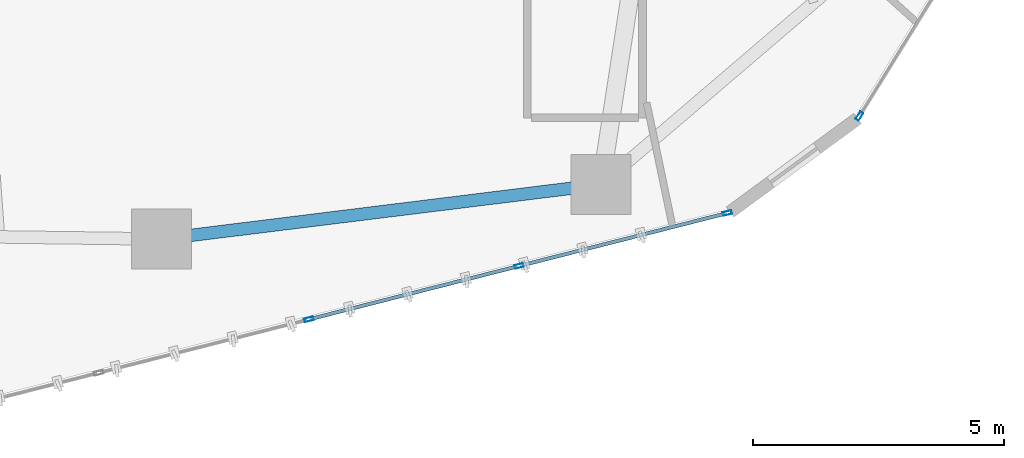
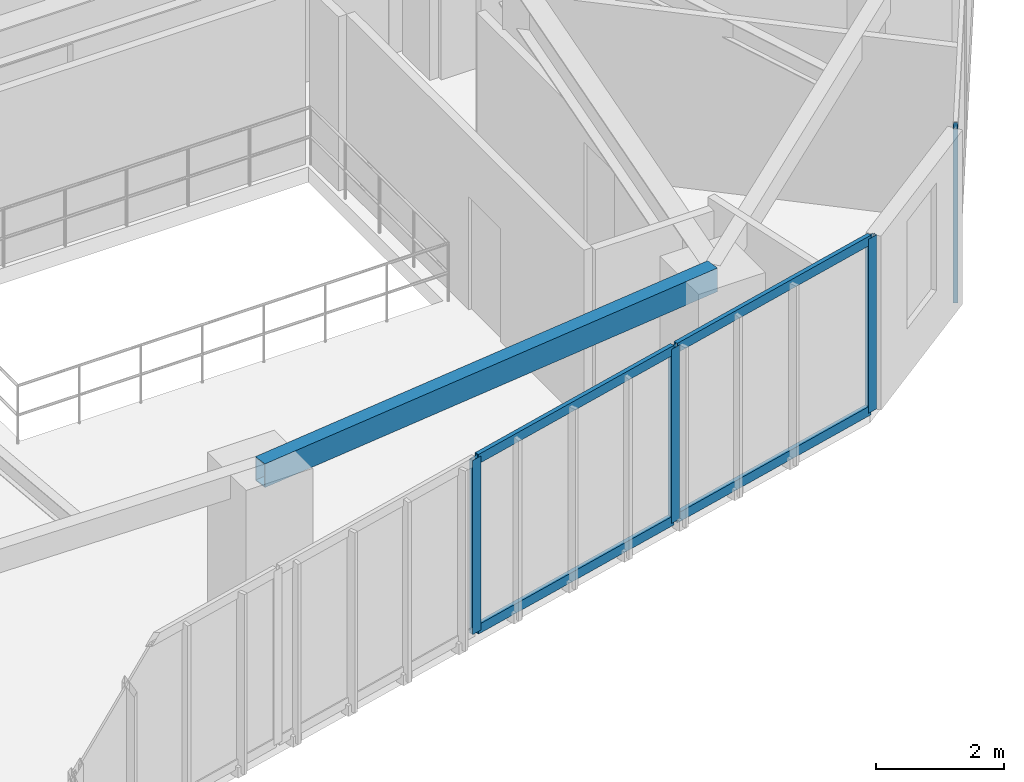
# One storey, part 5 of 20: 8 members, 1 beam, 2 elements without a shape of their own.
"""IFC4 building model written with IfcOpenShell, lengths in metres."""

from ifc_helpers import new_model, si_unit, direction, frame, origin, origin_2d, place, context, subcontext, project, spatial, hollow_rectangle, extrude, source, transform, mapped, material, layer, layer_set, material_profile, profile_set, type_object, type_shapes, element, aggregate, save


model = new_model("IFC4")

# Units and contexts
model_context = context("Model", 3, precision=1e-05, world=origin(), true_north=direction((0.0, 1.0)))
body_context = subcontext(model_context, "Body", "Model", "MODEL_VIEW")
ifc_project = project(units=[si_unit("LENGTHUNIT", "METRE"), si_unit("AREAUNIT", "SQUARE_METRE"), si_unit("VOLUMEUNIT", "CUBIC_METRE"), si_unit("PLANEANGLEUNIT", "RADIAN"), si_unit("MASSUNIT", "GRAM", prefix="KILO")], contexts=[model_context])

# Site, building, storey
site_placement = place(None, origin())
site = spatial("IfcSite", under=ifc_project, at=site_placement, CompositionType="ELEMENT")
building_placement = place(site_placement, origin())
building = spatial("IfcBuilding", under=site, at=building_placement, Name="Talar Marvaseh", CompositionType="ELEMENT")
storey_placement = place(building_placement, frame((0.0, 0.0, 132.60009765625)))
storey = spatial("IfcBuildingStorey", under=building, at=storey_placement, Name="L34", CompositionType="ELEMENT", Elevation=132.60009765625)

# Beam
ifc_material_1 = material(Name="Steel S355", Category="steel")
ifc_material_profile_1 = material_profile(ifc_material_1, hollow_rectangle(XDim=0.25, YDim=0.449951171875, WallThickness=0.01611328125, at=origin_2d()), Name="RHS450x250x16")
ifc_profile_set_1 = profile_set([ifc_material_profile_1], Name="Steel S355")
beam_type = type_object("IfcBeamType", Name="Zone 2 Perimeter Spandrel Beam RHS450x250x16", PredefinedType="SPANDREL", material=ifc_profile_set_1)
beam_placement = place(storey_placement, frame((31.570068359375, 14.26806640625, 3.0849609375), z_axis=(-0.992426007218, -0.122843885468, 0.0), x_axis=(0.122843885468, -0.992426007218, 0.0)))
element("IfcBeam", 1, at=beam_placement, inside=storey, type_object=beam_type, Name="L34 Zone 2 Perimeter Spandrel Beam RHS450x250x16", PredefinedType="SPANDREL", context=body_context, shape_type="SweptSolid", body=[
    extrude(hollow_rectangle(XDim=0.25, YDim=0.449951171875, WallThickness=0.01611328125, at=origin_2d()), origin(), (0.0, 0.0, 1.0), 8.83203125),
])

# Curtain wall, members
ifc_material_2 = material(Name="Architectural Aluminium", Category="aluminium")
ifc_layer = layer(ifc_material_2, 0.199951171875)
ifc_layer_set = layer_set([ifc_layer], Name="Architectural Aluminium")
curtain_wall_type = type_object("IfcCurtainWallType", Name="Unitised Acoustic Library Curtain Wall Z2", PredefinedType="NOTDEFINED", material=ifc_layer_set)
curtain_wall_1_placement = place(storey_placement, origin())
curtain_wall_1 = element("IfcCurtainWall", 2, at=curtain_wall_1_placement, inside=storey, type_object=curtain_wall_type, Name="L34 Unitised Acoustic Library Curtain Wall Z2", PredefinedType="NOTDEFINED")
ifc_material_profile_2 = material_profile(ifc_material_2, hollow_rectangle(XDim=0.074951171875, YDim=0.179931640625, WallThickness=0.0048828125, at=origin_2d()), Name="RHS180x75x5")
ifc_profile_set_2 = profile_set([ifc_material_profile_2], Name="Architectural Aluminium")
member_type_1 = type_object("IfcMemberType", Name="Unitised Curtain Wall Transom RHS180x75x5", PredefinedType="USERDEFINED", material=ifc_profile_set_2)
shared_shape_1 = source(origin(), body_context, "Body", "SweptSolid", [
    extrude(hollow_rectangle(XDim=0.074951171875, YDim=0.179931640625, WallThickness=0.0048828125, at=origin_2d()), origin(), (0.0, 0.0, 1.0), 4.24853515625),
])
member_1_placement = place(storey_placement, frame((29.900390625, 12.635986328125, 0.037353515625), z_axis=(-0.969195505357, -0.246292655992, 0.0), x_axis=(0.246292655992, -0.969195505357, 0.0)))
member_1 = element("IfcMember", 3, at=member_1_placement, type_object=member_type_1, Name="CW-Z2 transom 2.1", ObjectType="TRANSOM", PredefinedType="USERDEFINED", context=body_context, shape_type="MappedRepresentation", body=[
    mapped(shared_shape_1, transform((0.0, 0.0, 0.0), x_axis=(1.0, 0.0, 0.0), y_axis=(0.0, 1.0, 0.0), z_axis=(0.0, 0.0, 1.0), scale=1.0)),
])
member_2_placement = place(storey_placement, frame((29.900390625, 12.635986328125, 3.2724609375), z_axis=(-0.969195505357, -0.246292655992, 0.0), x_axis=(0.246292655992, -0.969195505357, 0.0)))
member_2 = element("IfcMember", 4, at=member_2_placement, type_object=member_type_1, Name="CW-Z2 transom 2.2", ObjectType="TRANSOM", PredefinedType="USERDEFINED", context=body_context, shape_type="MappedRepresentation", body=[
    mapped(shared_shape_1, transform((0.0, 0.0, 0.0), x_axis=(1.0, 0.0, 0.0), y_axis=(0.0, 1.0, 0.0), z_axis=(0.0, 0.0, 1.0), scale=1.0)),
])
shared_shape_2 = source(origin(), body_context, "Body", "SweptSolid", [
    extrude(hollow_rectangle(XDim=0.074951171875, YDim=0.179931640625, WallThickness=0.0048828125, at=origin_2d()), origin(), (0.0, 0.0, 1.0), 4.2109375),
])
type_shapes(member_type_1, [shared_shape_1, shared_shape_2])
member_3_placement = place(storey_placement, frame((34.05419921875, 13.691650390625, 0.037353515625), z_axis=(-0.969197387669, -0.246285248718, 0.0), x_axis=(0.246285248718, -0.969197387669, 0.0)))
member_3 = element("IfcMember", 5, at=member_3_placement, type_object=member_type_1, Name="CW-Z2 transom 1.1", ObjectType="TRANSOM", PredefinedType="USERDEFINED", context=body_context, shape_type="MappedRepresentation", body=[
    mapped(shared_shape_2, transform((0.0, 0.0, 0.0), x_axis=(1.0, 0.0, 0.0), y_axis=(0.0, 1.0, 0.0), z_axis=(0.0, 0.0, 1.0), scale=1.0)),
])
member_4_placement = place(storey_placement, frame((34.05419921875, 13.691650390625, 3.2724609375), z_axis=(-0.969197387669, -0.246285248718, 0.0), x_axis=(0.246285248718, -0.969197387669, 0.0)))
member_4 = element("IfcMember", 6, at=member_4_placement, type_object=member_type_1, Name="CW-Z2 transom 1.2", ObjectType="TRANSOM", PredefinedType="USERDEFINED", context=body_context, shape_type="MappedRepresentation", body=[
    mapped(shared_shape_2, transform((0.0, 0.0, 0.0), x_axis=(1.0, 0.0, 0.0), y_axis=(0.0, 1.0, 0.0), z_axis=(0.0, 0.0, 1.0), scale=1.0)),
])

# Curtain wall, member
curtain_wall_2_placement = place(storey_placement, origin())
curtain_wall_2 = element("IfcCurtainWall", 7, at=curtain_wall_2_placement, inside=storey, type_object=curtain_wall_type, Name="L34 Unitised Acoustic Library Curtain Wall Z2", PredefinedType="NOTDEFINED")
ifc_material_profile_3 = material_profile(ifc_material_2, hollow_rectangle(XDim=0.074951171875, YDim=0.179931640625, WallThickness=0.0048828125, at=origin_2d()), Name="RHS180x75x5")
ifc_profile_set_3 = profile_set([ifc_material_profile_3], Name="Architectural Aluminium")
member_type_2 = type_object("IfcMemberType", Name="Unitised Curtain Wall Standard Mullion RHS180x75x5", PredefinedType="MULLION", material=ifc_profile_set_3)
shared_shape_3 = source(origin(), body_context, "Body", "SweptSolid", [
    extrude(hollow_rectangle(XDim=0.074951171875, YDim=0.179931640625, WallThickness=0.0048828125, at=origin_2d()), origin(), (0.0, 0.0, 1.0), 3.309814453125),
])
type_shapes(member_type_2, [shared_shape_3])
member_5_placement = place(storey_placement, frame((36.7275390625, 15.63427734375, 0.0), z_axis=(0.0, 0.0, 1.0), x_axis=(0.850272441792, -0.526342830035, 0.0)))
member_5 = element("IfcMember", 8, at=member_5_placement, type_object=member_type_2, Name="CW-Z2 mullion 6", PredefinedType="MULLION", context=body_context, shape_type="MappedRepresentation", body=[
    mapped(shared_shape_3, transform((0.0, 0.0, 0.0), x_axis=(1.0, 0.0, 0.0), y_axis=(0.0, 1.0, 0.0), z_axis=(0.0, 0.0, 1.0), scale=1.0)),
])
aggregate(curtain_wall_2, [member_5])

# Member
member_6_placement = place(storey_placement, frame((34.090576171875, 13.700927734375, 0.0), z_axis=(0.0, 0.0, 1.0), x_axis=(0.246303040648, -0.969192866342, 0.0)))
member_6 = element("IfcMember", 9, at=member_6_placement, type_object=member_type_2, Name="CW-Z2 mullion 1", PredefinedType="MULLION", context=body_context, shape_type="MappedRepresentation", body=[
    mapped(shared_shape_3, transform((0.0, 0.0, 0.0), x_axis=(1.0, 0.0, 0.0), y_axis=(0.0, 1.0, 0.0), z_axis=(0.0, 0.0, 1.0), scale=1.0)),
])

member_7_placement = place(storey_placement, frame((29.936767578125, 12.645263671875, 0.0), z_axis=(0.0, 0.0, 1.0), x_axis=(0.246303040648, -0.969192866342, 0.0)))
member_7 = element("IfcMember", 10, at=member_7_placement, type_object=member_type_2, Name="CW-Z2 mullion 2", PredefinedType="MULLION", context=body_context, shape_type="MappedRepresentation", body=[
    mapped(shared_shape_3, transform((0.0, 0.0, 0.0), x_axis=(1.0, 0.0, 0.0), y_axis=(0.0, 1.0, 0.0), z_axis=(0.0, 0.0, 1.0), scale=1.0)),
])

member_8_placement = place(storey_placement, frame((25.746337890625, 11.580322265625, 0.0), z_axis=(0.0, 0.0, 1.0), x_axis=(0.246303040648, -0.969192866342, 0.0)))
member_8 = element("IfcMember", 11, at=member_8_placement, type_object=member_type_2, Name="CW-Z2 mullion 3", PredefinedType="MULLION", context=body_context, shape_type="MappedRepresentation", body=[
    mapped(shared_shape_3, transform((0.0, 0.0, 0.0), x_axis=(1.0, 0.0, 0.0), y_axis=(0.0, 1.0, 0.0), z_axis=(0.0, 0.0, 1.0), scale=1.0)),
])

aggregate(curtain_wall_1, [member_6, member_7, member_8, member_3, member_4, member_1, member_2])

save(model, "model.ifc")
